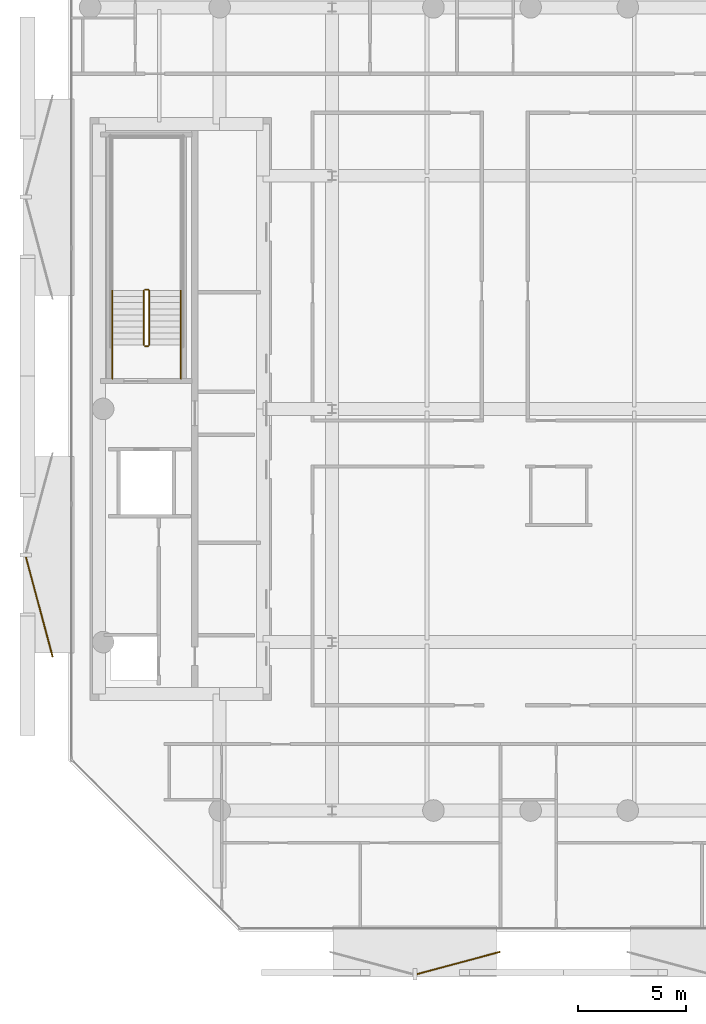
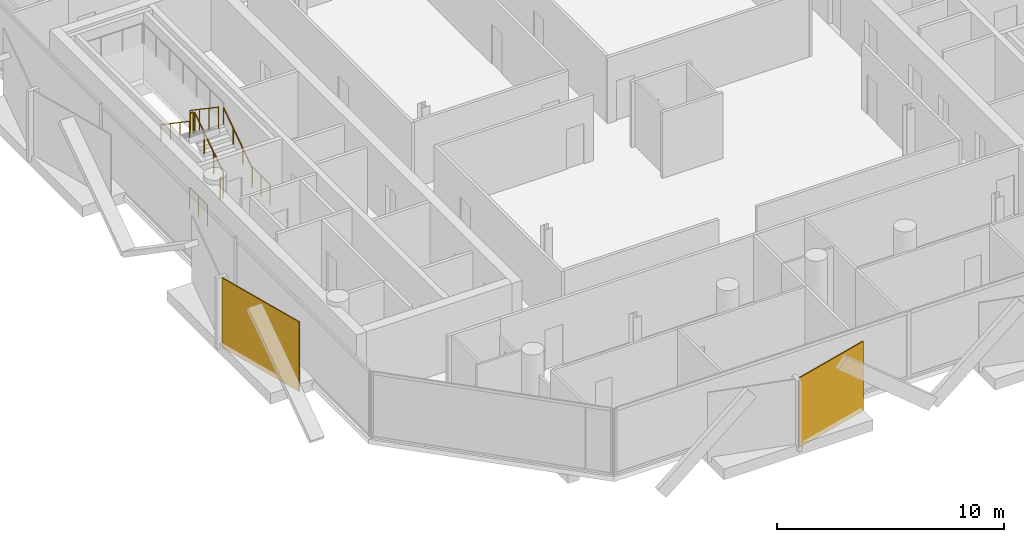
# One storey, part 14 of 16: 8 railings, 2 coverings.
"""IFC4 building model written with IfcOpenShell, lengths in metres."""

import ifcopenshell
import ifcopenshell.guid

model = None  # the IFC model being written
_history = None  # IfcOwnerHistory: only IFC2X3 demands one
_inside = {}  # id of a spatial element -> (the spatial element, [elements in it])
_under = {}  # id of a project, library or spatial element -> (it, [spatial elements below it])
_declared = {}  # id of a project -> (the project, [libraries it declares])
_typed = {}  # id of a type object -> (the type object, [elements of that type])
_made_of = {}  # id of a material, layer set ... -> (it, [elements and type objects made of it])


def new_model(schema):
    """Start an empty IFC model of exactly this schema.

    Asked for "IFC4X3", IfcOpenShell would pick the latest addendum, in which some entities
    have other attributes; the version numbers below select the first issue.
    IFC2X3 requires an IfcOwnerHistory on every rooted entity: one is made here for all.
    """
    global model, _history
    if schema == "IFC4X3":
        model = ifcopenshell.file(schema_version=(4, 3, 0, 0))
    else:
        model = ifcopenshell.file(schema=schema)
    _inside.clear()
    _under.clear()
    _declared.clear()
    _typed.clear()
    _made_of.clear()
    _history = None
    if model.schema == "IFC2X3":
        org = make("IfcOrganization", Name="unknown")
        user = make(
            "IfcPersonAndOrganization",
            ThePerson=make("IfcPerson", FamilyName="unknown"),
            TheOrganization=org,
        )
        app = make(
            "IfcApplication",
            ApplicationDeveloper=org,
            Version="unknown",
            ApplicationFullName="unknown",
            ApplicationIdentifier="unknown",
        )
        _history = make(
            "IfcOwnerHistory",
            OwningUser=user,
            OwningApplication=app,
            ChangeAction="ADDED",
            CreationDate=0,
        )
    return model


def make(cls, **values):
    """One entity of the class cls with the attributes given. An attribute that is None is left unset."""
    return model.create_entity(
        cls, **{name: value for name, value in values.items() if value is not None}
    )


def rooted(cls, **values):
    """An entity with a GlobalId (a new one), such as an element, a storey or a relation."""
    return make(cls, GlobalId=ifcopenshell.guid.new(), OwnerHistory=_history, **values)


def si_unit(unit_type, name, prefix=None):
    """IfcSIUnit, for example si_unit("LENGTHUNIT", "METRE", prefix="MILLI")."""
    return make("IfcSIUnit", UnitType=unit_type, Prefix=prefix, Name=name)


def assignment(units):
    """IfcUnitAssignment: the units of a project."""
    return None if units is None else make("IfcUnitAssignment", Units=units)


def point(xyz):
    """IfcCartesianPoint."""
    return None if xyz is None else make("IfcCartesianPoint", Coordinates=xyz)


def direction(xyz):
    """IfcDirection."""
    return None if xyz is None else make("IfcDirection", DirectionRatios=xyz)


def frame(location, z_axis=None, x_axis=None):
    """IfcAxis2Placement3D, a coordinate frame: its origin and axes. An axis left out is left unset."""
    return make(
        "IfcAxis2Placement3D",
        Location=point(location),
        Axis=direction(z_axis),
        RefDirection=direction(x_axis),
    )


def frame_2d(location, x_axis=None):
    """IfcAxis2Placement2D, a coordinate frame in the plane: its origin and x axis."""
    return make(
        "IfcAxis2Placement2D", Location=point(location), RefDirection=direction(x_axis)
    )


def origin():
    """The frame at (0, 0, 0) with its axes left unset."""
    return frame((0.0, 0.0, 0.0))


def origin_2d():
    """The frame at (0, 0) in the plane with its x axis left unset."""
    return frame_2d((0.0, 0.0))


def place(relative_to, where):
    """IfcLocalPlacement: puts the frame where relative to a parent placement (None: the world)."""
    return make(
        "IfcLocalPlacement", PlacementRelTo=relative_to, RelativePlacement=where
    )


def context(
    kind, dimensions, precision=None, world=None, true_north=None, identifier=None
):
    """IfcGeometricRepresentationContext, for example the 3D "Model" context."""
    return make(
        "IfcGeometricRepresentationContext",
        ContextIdentifier=identifier,
        ContextType=kind,
        CoordinateSpaceDimension=dimensions,
        Precision=precision,
        WorldCoordinateSystem=world,
        TrueNorth=true_north,
    )


def subcontext(parent, identifier, kind, view, scale=None):
    """IfcGeometricRepresentationSubContext, for example "Body" below "Model"."""
    return make(
        "IfcGeometricRepresentationSubContext",
        ContextIdentifier=identifier,
        ContextType=kind,
        ParentContext=parent,
        TargetScale=scale,
        TargetView=view,
    )


def project(units=None, contexts=None):
    """IfcProject with its units and contexts."""
    return rooted(
        "IfcProject",
        Name="project",
        RepresentationContexts=contexts,
        UnitsInContext=assignment(units),
    )


def spatial(cls, under=None, at=None, **own):
    """A site, building, storey or space (cls), placed at a placement, below another one or the project."""
    s = rooted(cls, ObjectPlacement=at, **own)
    if under is not None:
        _under.setdefault(under.id(), (under, []))[1].append(s)
    return s


def profile(cls, at=None, kind="AREA", **sizes):
    """A parametric profile (cls). Its sizes go by their IFC names, for example OverallWidth=200.0."""
    return make(cls, ProfileType=kind, Position=at, **sizes)


def rectangle(**sizes):
    """IfcRectangleProfileDef."""
    return profile("IfcRectangleProfileDef", **sizes)


def circle(**sizes):
    """IfcCircleProfileDef."""
    return profile("IfcCircleProfileDef", **sizes)


def extrude(swept, where, along, depth):
    """IfcExtrudedAreaSolid: the profile swept, set in the frame where, extruded along a direction by depth."""
    return make(
        "IfcExtrudedAreaSolid",
        SweptArea=swept,
        Position=where,
        ExtrudedDirection=direction(along),
        Depth=depth,
    )


def shape(context_of_items, identifier, shape_type, items):
    """IfcShapeRepresentation: the items that make up one representation, for example the "Body"."""
    return make(
        "IfcShapeRepresentation",
        ContextOfItems=context_of_items,
        RepresentationIdentifier=identifier,
        RepresentationType=shape_type,
        Items=items,
    )


def material(Name=None, Category=None):
    """IfcMaterial."""
    return make("IfcMaterial", Name=Name, Category=Category)


def layer(
    of_material, thickness, ventilated=None, Name=None, Category=None, Priority=None
):
    """IfcMaterialLayer: one layer of a wall or slab, of a material (None: an air gap)."""
    return make(
        "IfcMaterialLayer",
        Material=of_material,
        LayerThickness=thickness,
        IsVentilated=ventilated,
        Name=Name,
        Category=Category,
        Priority=Priority,
    )


def layer_set(layers, Name=None):
    """IfcMaterialLayerSet."""
    return make("IfcMaterialLayerSet", MaterialLayers=layers, LayerSetName=Name)


def made_of(thing, what):
    """Note that an element or type object is made of a material, layer set ...; save() writes the relation."""
    if what is not None:
        _made_of.setdefault(what.id(), (what, []))[1].append(thing)
    return thing


def type_object(cls, material=None, **own):
    """A type object (cls), such as IfcWallType, which elements share."""
    return made_of(rooted(cls, **own), material)


def element(
    cls,
    number,
    at=None,
    inside=None,
    cuts=None,
    type_object=None,
    material=None,
    context=None,
    identifier="Body",
    shape_type=None,
    held_by="IfcProductDefinitionShape",
    body=None,
    shapes=None,
    **own,
):
    """One element of the class cls, such as IfcWall. Its Tag is "e" and its number.

    at: its placement. inside: the storey or other place that contains it. cuts: it is an
    opening in that element (IfcRelVoidsElement). A single representation is given by context,
    identifier, shape_type and body (its items); several are given by shapes. held_by: the class
    of the entity that holds the representations. save() writes the other relations.
    """
    e = rooted(cls, Tag="e%d" % number, ObjectPlacement=at, **own)
    if body is not None:
        shapes = [shape(context, identifier, shape_type, body)]
    if shapes is not None:
        e.Representation = make(held_by, Representations=shapes)
    if inside is not None:
        _inside.setdefault(inside.id(), (inside, []))[1].append(e)
    if cuts is not None:
        rooted(
            "IfcRelVoidsElement", RelatingBuildingElement=cuts, RelatedOpeningElement=e
        )
    if type_object is not None:
        _typed.setdefault(type_object.id(), (type_object, []))[1].append(e)
    return made_of(e, material)


def aggregate(whole, parts):
    """IfcRelAggregates: a whole, such as a stair, and the parts it consists of."""
    return rooted("IfcRelAggregates", RelatingObject=whole, RelatedObjects=parts)


def save(model, path):
    """Write the relations noted so far, then the file.

    IfcRelAggregates (storeys below a building ...), IfcRelContainedInSpatialStructure (elements
    in a storey), IfcRelDefinesByType, IfcRelAssociatesMaterial and IfcRelDeclares: one each for
    every whole, place, type object, material and project.
    """
    for whole, parts in _under.values():
        aggregate(whole, parts)
    for where, things in _inside.values():
        rooted(
            "IfcRelContainedInSpatialStructure",
            RelatedElements=things,
            RelatingStructure=where,
        )
    for kind, things in _typed.values():
        rooted("IfcRelDefinesByType", RelatedObjects=things, RelatingType=kind)
    for what, things in _made_of.values():
        rooted("IfcRelAssociatesMaterial", RelatedObjects=things, RelatingMaterial=what)
    for by, libraries in _declared.values():
        rooted("IfcRelDeclares", RelatingContext=by, RelatedDefinitions=libraries)
    model.write(path)


model = new_model("IFC4")

# Units and contexts
model_context = context("Model", 3, precision=1e-05, world=origin(), true_north=direction((0.0, 1.0)))
body_context = subcontext(model_context, "Body", "Model", "MODEL_VIEW")
ifc_project = project(units=[si_unit("LENGTHUNIT", "METRE"), si_unit("AREAUNIT", "SQUARE_METRE"), si_unit("VOLUMEUNIT", "CUBIC_METRE"), si_unit("PLANEANGLEUNIT", "RADIAN"), si_unit("MASSUNIT", "GRAM", prefix="KILO")], contexts=[model_context])

# Site, building, storey
site_placement = place(None, origin())
site = spatial("IfcSite", under=ifc_project, at=site_placement, CompositionType="ELEMENT")
building_placement = place(site_placement, origin())
building = spatial("IfcBuilding", under=site, at=building_placement, Name="Khairoan Windgate Tower", CompositionType="ELEMENT")
storey_placement = place(building_placement, frame((0.0, 0.0, 300.39990234375)))
storey = spatial("IfcBuildingStorey", under=building, at=storey_placement, Name="L72", CompositionType="ELEMENT", Elevation=300.39990234375)

# Coverings
ifc_material_1 = material(Name="Anodised Bronze Aluminium 6063-T6", Category="aluminium")
ifc_layer = layer(ifc_material_1, 0.054931640625, Name="Anodised Bronze Aluminium 6063-T6")
ifc_layer_set = layer_set([ifc_layer], Name="Anodised Bronze Aluminium 6063-T6")
covering_type = type_object("IfcCoveringType", Name="Perforated Bronze-Ceramic Folded Solar Screen Cladding BSC-1", PredefinedType="CLADDING", material=ifc_layer_set)
covering_1_placement = place(storey_placement, frame((-3.3408203125, -25.663330078125, -0.10009765625), z_axis=(0.0, 0.0, 1.0), x_axis=(-0.965925826289, -0.258819045103, 0.0)))
element("IfcCovering", 1, at=covering_1_placement, inside=storey, type_object=covering_type, Name="L72 Folded Bronze Solar Screen Facet 503L", PredefinedType="CLADDING", context=body_context, shape_type="SweptSolid", body=[
    extrude(rectangle(XDim=3.991943359375, YDim=0.054931640625, at=origin_2d()), origin(), (0.0, 0.0, 1.0), 3.739990234375),
])
covering_2_placement = place(storey_placement, frame((-22.75830078125, -9.1689453125, -0.10009765625), z_axis=(0.0, 0.0, 1.0), x_axis=(-0.258819045103, 0.965925826289, 0.0)))
element("IfcCovering", 2, at=covering_2_placement, inside=storey, type_object=covering_type, Name="L72 Folded Bronze Solar Screen Facet 504L", PredefinedType="CLADDING", context=body_context, shape_type="SweptSolid", body=[
    extrude(rectangle(XDim=4.803955078125, YDim=0.054931640625, at=origin_2d()), origin(), (0.0, 0.0, 1.0), 3.739990234375),
])

# Railings
ifc_material_2 = material(Name="Anodised Bronze Aluminium 6063-T6", Category="aluminium")
railing_type_1 = type_object("IfcRailingType", Name="Stair Wall Handrail SHR-900", PredefinedType="HANDRAIL", material=ifc_material_2)
railing_1_placement = place(storey_placement, frame((-16.199951171875, 2.9599609375, 0.190185546875)))
element("IfcRailing", 3, at=railing_1_placement, inside=storey, type_object=railing_type_1, Name="L72 ST2 stair handrail 1", PredefinedType="HANDRAIL", context=body_context, shape_type="SweptSolid", body=[
    extrude(circle(Radius=0.02392578125, at=origin_2d()), frame((0.0, 0.0, 0.8759765625), z_axis=(0.0, 0.827483756001, 0.561489655786), x_axis=(-1.0, 0.0, 0.0)), (0.0, 0.0, 1.0), 3.04541015625),
    extrude(circle(Radius=0.02099609375, at=origin_2d()), origin(), (0.0, 0.0, 1.0), 0.851806640625),
    extrude(circle(Radius=0.02099609375, at=origin_2d()), frame((0.0, 0.840087890625, 0.570068359375)), (0.0, 0.0, 1.0), 0.851806640625),
    extrude(circle(Radius=0.02099609375, at=origin_2d()), frame((0.0, 1.679931640625, 1.139892578125)), (0.0, 0.0, 1.0), 0.851806640625),
    extrude(circle(Radius=0.02099609375, at=origin_2d()), frame((0.0, 2.52001953125, 1.7099609375)), (0.0, 0.0, 1.0), 0.851806640625),
])
railing_2_placement = place(storey_placement, frame((-19.3701171875, 5.47998046875, 2.090087890625)))
element("IfcRailing", 4, at=railing_2_placement, inside=storey, type_object=railing_type_1, Name="L72 ST2 stair handrail 2", PredefinedType="HANDRAIL", context=body_context, shape_type="SweptSolid", body=[
    extrude(circle(Radius=0.02392578125, at=origin_2d()), frame((0.0, 0.0, 0.8759765625), z_axis=(0.0, -0.827483756001, 0.561489655786), x_axis=(1.0, 0.0, 0.0)), (0.0, 0.0, 1.0), 3.04541015625),
    extrude(circle(Radius=0.02099609375, at=origin_2d()), origin(), (0.0, 0.0, 1.0), 0.851806640625),
    extrude(circle(Radius=0.02099609375, at=origin_2d()), frame((0.0, -0.840087890625, 0.570068359375)), (0.0, 0.0, 1.0), 0.851806640625),
    extrude(circle(Radius=0.02099609375, at=origin_2d()), frame((0.0, -1.679931640625, 1.139892578125)), (0.0, 0.0, 1.0), 0.851806640625),
    extrude(circle(Radius=0.02099609375, at=origin_2d()), frame((0.0, -2.52001953125, 1.7099609375)), (0.0, 0.0, 1.0), 0.851806640625),
])
ifc_material_3 = material(Name="Steel S355", Category="steel")
railing_type_2 = type_object("IfcRailingType", Name="Stairwell Safety Guardrail SGR-1150", PredefinedType="GUARDRAIL", material=ifc_material_3)
railing_3_placement = place(storey_placement, frame((-17.659912109375, 2.9599609375, 0.190185546875)))
element("IfcRailing", 5, at=railing_3_placement, inside=storey, type_object=railing_type_2, Name="L72 ST2 stair guard 1", PredefinedType="GUARDRAIL", context=body_context, shape_type="SweptSolid", body=[
    extrude(circle(Radius=0.02392578125, at=origin_2d()), frame((0.0, 0.0, 1.1259765625), z_axis=(0.0, 0.827483756001, 0.561489655786), x_axis=(-1.0, 0.0, 0.0)), (0.0, 0.0, 1.0), 3.04541015625),
    extrude(circle(Radius=0.02099609375, at=origin_2d()), origin(), (0.0, 0.0, 1.0), 1.101806640625),
    extrude(circle(Radius=0.02099609375, at=origin_2d()), frame((0.0, 0.840087890625, 0.570068359375)), (0.0, 0.0, 1.0), 1.101806640625),
    extrude(circle(Radius=0.02099609375, at=origin_2d()), frame((0.0, 1.679931640625, 1.139892578125)), (0.0, 0.0, 1.0), 1.101806640625),
    extrude(circle(Radius=0.02099609375, at=origin_2d()), frame((0.0, 2.52001953125, 1.7099609375)), (0.0, 0.0, 1.0), 1.101806640625),
])
railing_4_placement = place(storey_placement, frame((-17.7099609375, 5.530029296875, 1.900146484375)))
element("IfcRailing", 6, at=railing_4_placement, inside=storey, type_object=railing_type_2, Name="L72 ST2 stair guard 2", PredefinedType="GUARDRAIL", context=body_context, shape_type="SweptSolid", body=[
    extrude(circle(Radius=0.02392578125, at=origin_2d()), frame((0.0, 0.0, 1.1259765625), z_axis=(-1.0, 0.0, 0.0), x_axis=(0.0, -1.0, 0.0)), (0.0, 0.0, 1.0), 0.150146484375),
    extrude(circle(Radius=0.02099609375, at=origin_2d()), origin(), (0.0, 0.0, 1.0), 1.101806640625),
    extrude(circle(Radius=0.02099609375, at=origin_2d()), frame((-0.150146484375, 0.0, 0.0)), (0.0, 0.0, 1.0), 1.101806640625),
])
railing_5_placement = place(storey_placement, frame((-17.909912109375, 5.47998046875, 2.090087890625)))
element("IfcRailing", 7, at=railing_5_placement, inside=storey, type_object=railing_type_2, Name="L72 ST2 stair guard 6", PredefinedType="GUARDRAIL", context=body_context, shape_type="SweptSolid", body=[
    extrude(circle(Radius=0.02392578125, at=origin_2d()), frame((0.0, 0.0, 1.1259765625), z_axis=(0.0, -0.827483756001, 0.561489655786), x_axis=(1.0, 0.0, 0.0)), (0.0, 0.0, 1.0), 3.04541015625),
    extrude(circle(Radius=0.02099609375, at=origin_2d()), origin(), (0.0, 0.0, 1.0), 1.101806640625),
    extrude(circle(Radius=0.02099609375, at=origin_2d()), frame((0.0, -0.840087890625, 0.570068359375)), (0.0, 0.0, 1.0), 1.101806640625),
    extrude(circle(Radius=0.02099609375, at=origin_2d()), frame((0.0, -1.679931640625, 1.139892578125)), (0.0, 0.0, 1.0), 1.101806640625),
    extrude(circle(Radius=0.02099609375, at=origin_2d()), frame((0.0, -2.52001953125, 1.7099609375)), (0.0, 0.0, 1.0), 1.101806640625),
])
railing_6_placement = place(storey_placement, frame((-17.7099609375, 2.909912109375, 0.0)))
element("IfcRailing", 8, at=railing_6_placement, inside=storey, type_object=railing_type_2, Name="L72 ST2 stair guard 7", PredefinedType="GUARDRAIL", context=body_context, shape_type="SweptSolid", body=[
    extrude(circle(Radius=0.02392578125, at=origin_2d()), frame((0.0, 0.0, 1.1259765625), z_axis=(-1.0, 0.0, 0.0), x_axis=(0.0, -1.0, 0.0)), (0.0, 0.0, 1.0), 0.150146484375),
    extrude(circle(Radius=0.02099609375, at=origin_2d()), origin(), (0.0, 0.0, 1.0), 1.101806640625),
    extrude(circle(Radius=0.02099609375, at=origin_2d()), frame((-0.150146484375, 0.0, 0.0)), (0.0, 0.0, 1.0), 1.101806640625),
])
for number, where, name in (
    (9, (-16.199951171875, 1.39990234375, 0.0), "L72 ST2 stair guard 8"),
    (10, (-19.3701171875, 1.39990234375, 0.0), "L72 ST2 stair guard 9"),
):
    element("IfcRailing", number, at=place(storey_placement, frame(where)), inside=storey, type_object=railing_type_2, Name=name, PredefinedType="GUARDRAIL", context=body_context, shape_type="SweptSolid", body=[
        extrude(circle(Radius=0.02392578125, at=origin_2d()), frame((0.0, 0.0, 1.1259765625), z_axis=(0.0, 1.0, 0.0), x_axis=(-1.0, 0.0, 0.0)), (0.0, 0.0, 1.0), 1.56005859375),
        extrude(circle(Radius=0.02099609375, at=origin_2d()), origin(), (0.0, 0.0, 1.0), 1.101806640625),
        extrude(circle(Radius=0.02099609375, at=origin_2d()), frame((0.0, 0.780029296875, 0.0)), (0.0, 0.0, 1.0), 1.101806640625),
        extrude(circle(Radius=0.02099609375, at=origin_2d()), frame((0.0, 1.56005859375, 0.0)), (0.0, 0.0, 1.0), 1.101806640625),
    ])

save(model, "model.ifc")
